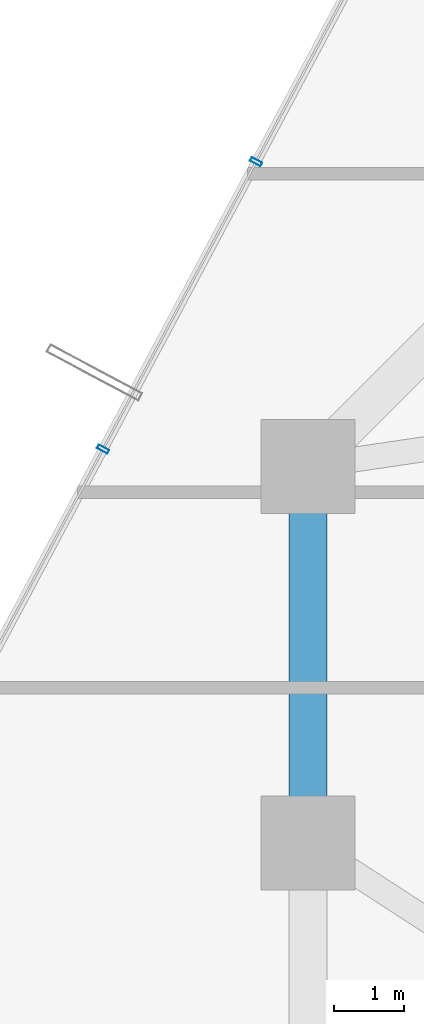
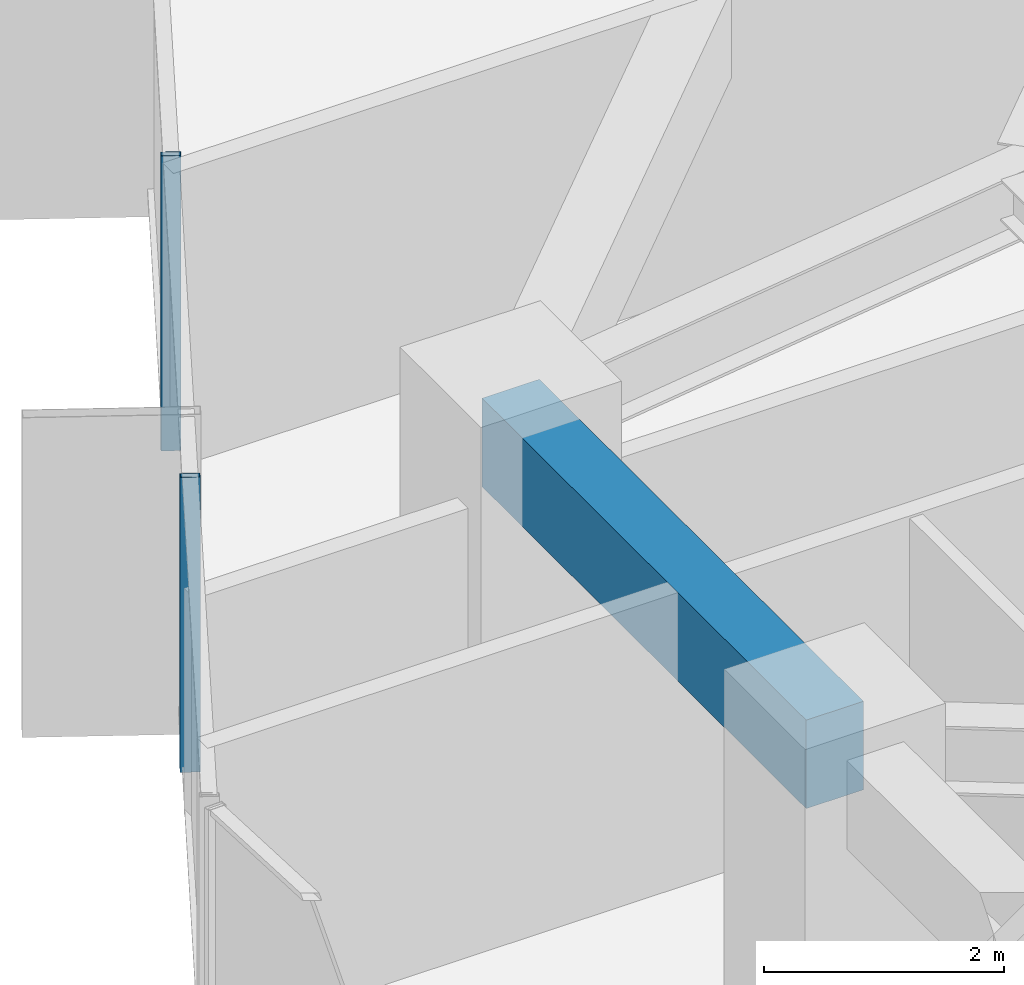
# One storey, part 12 of 39: 2 members, 1 beam, 1 element without a shape of its own.
"""IFC4 building model written with IfcOpenShell, lengths in metres."""

from ifc_helpers import new_model, si_unit, direction, frame, origin, origin_2d, place, context, subcontext, project, spatial, rectangle, hollow_rectangle, extrude, source, transform, mapped, material, layer, layer_set, material_profile, profile_set, type_object, element, aggregate, save


model = new_model("IFC4")

# Units and contexts
model_context = context("Model", 3, precision=1e-05, world=origin(), true_north=direction((0.0, 1.0)))
body_context = subcontext(model_context, "Body", "Model", "MODEL_VIEW")
ifc_project = project(units=[si_unit("LENGTHUNIT", "METRE"), si_unit("AREAUNIT", "SQUARE_METRE"), si_unit("VOLUMEUNIT", "CUBIC_METRE"), si_unit("PLANEANGLEUNIT", "RADIAN"), si_unit("MASSUNIT", "GRAM", prefix="KILO")], contexts=[model_context])

# Site, building, storey
site_placement = place(None, origin())
site = spatial("IfcSite", under=ifc_project, at=site_placement, CompositionType="ELEMENT")
building_placement = place(site_placement, origin())
building = spatial("IfcBuilding", under=site, at=building_placement, Name="Veraguas Prism Commons", CompositionType="ELEMENT")
storey_placement = place(building_placement, frame((0.0, 0.0, 30.550048828125)))
storey = spatial("IfcBuildingStorey", under=building, at=storey_placement, Name="L07", CompositionType="ELEMENT", Elevation=30.550048828125)

# Beam
ifc_material_1 = material(Name="Concrete C50/60", Category="concrete")
ifc_material_profile_1 = material_profile(ifc_material_1, rectangle(XDim=0.550048828125, YDim=0.89990234375, at=origin_2d()), Name="RC550X900")
ifc_profile_set_1 = profile_set([ifc_material_profile_1], Name="Concrete C50/60")
beam_type = type_object("IfcBeamType", Name="Perimeter Spandrel Lower RC 550x900", PredefinedType="SPANDREL", material=ifc_profile_set_1)
beam_placement = place(storey_placement, frame((6.39990234375, 29.39990234375, 2.550048828125), z_axis=(0.0, -1.0, 0.0), x_axis=(1.0, 0.0, 0.0)))
element("IfcBeam", 1, at=beam_placement, inside=storey, type_object=beam_type, Name="Perimeter Spandrel Beam L07-SP07", PredefinedType="SPANDREL", context=body_context, shape_type="SweptSolid", body=[
    extrude(rectangle(XDim=0.550048828125, YDim=0.89990234375, at=origin_2d()), origin(), (0.0, 0.0, 1.0), 5.39990234375),
])

# Curtain wall, members
ifc_material_2 = material(Name="Anodised aluminium EN AW-6063 T6", Category="aluminium")
ifc_layer = layer(ifc_material_2, 0.169921875, Name="Unitised Flush Curtain Wall Zone 1", Category="aluminium")
ifc_layer_set = layer_set([ifc_layer], Name="Anodised aluminium EN AW-6063 T6")
curtain_wall_type = type_object("IfcCurtainWallType", Name="Unitised Flush Curtain Wall Zone 1", PredefinedType="NOTDEFINED", material=ifc_layer_set)
curtain_wall_placement = place(storey_placement, origin())
curtain_wall = element("IfcCurtainWall", 2, at=curtain_wall_placement, inside=storey, type_object=curtain_wall_type, Name="Tower Facade Curtain Wall L07-F3", PredefinedType="NOTDEFINED")
ifc_material_profile_2 = material_profile(ifc_material_2, hollow_rectangle(XDim=0.06005859375, YDim=0.169921875, WallThickness=0.00390625, at=origin_2d()), Name="AL60X170X4")
ifc_profile_set_2 = profile_set([ifc_material_profile_2], Name="Anodised aluminium EN AW-6063 T6")
member_type = type_object("IfcMemberType", Name="Curtain Wall Mullion Lower AL 60x170x4", PredefinedType="MULLION", material=ifc_profile_set_2)
shared_shape = source(origin(), body_context, "Body", "SweptSolid", [
    extrude(hollow_rectangle(XDim=0.06005859375, YDim=0.169921875, WallThickness=0.00390625, at=origin_2d()), origin(), (0.0, 0.0, 1.0), 3.0),
])
member_1_placement = place(storey_placement, frame((5.655029296875, 33.7705078125, 0.0), z_axis=(0.0, 0.0, 1.0), x_axis=(-0.470089402494, -0.882618804277, 0.0)))
member_1 = element("IfcMember", 3, at=member_1_placement, type_object=member_type, Name="CW-Z1 Mullion 3", PredefinedType="MULLION", context=body_context, shape_type="MappedRepresentation", body=[
    mapped(shared_shape, transform((0.0, 0.0, 0.0), scale=1.0)),
])
member_2_placement = place(storey_placement, frame((3.459228515625, 29.64794921875, 0.0), z_axis=(0.0, 0.0, 1.0), x_axis=(-0.470089402494, -0.882618804277, 0.0)))
member_2 = element("IfcMember", 4, at=member_2_placement, type_object=member_type, Name="CW-Z1 Mullion 4", PredefinedType="MULLION", context=body_context, shape_type="MappedRepresentation", body=[
    mapped(shared_shape, transform((0.0, 0.0, 0.0), scale=1.0)),
])
aggregate(curtain_wall, [member_1, member_2])

save(model, "model.ifc")
